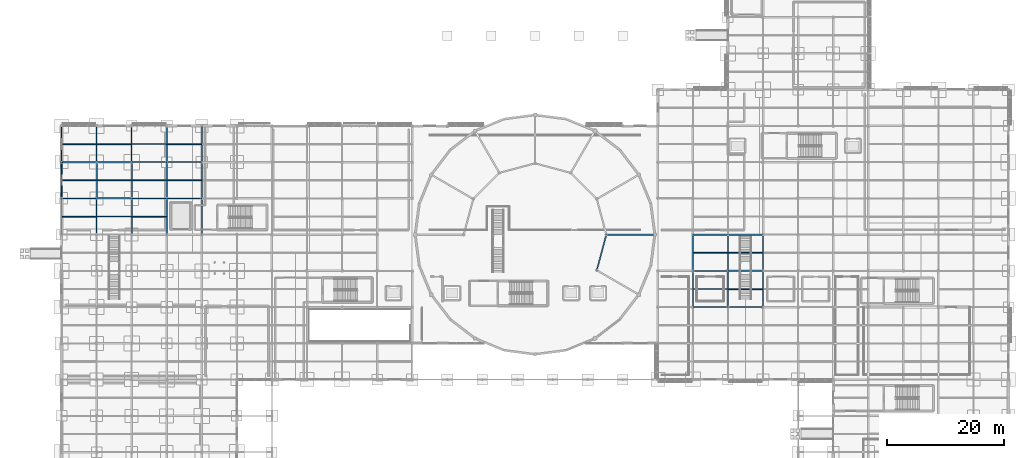
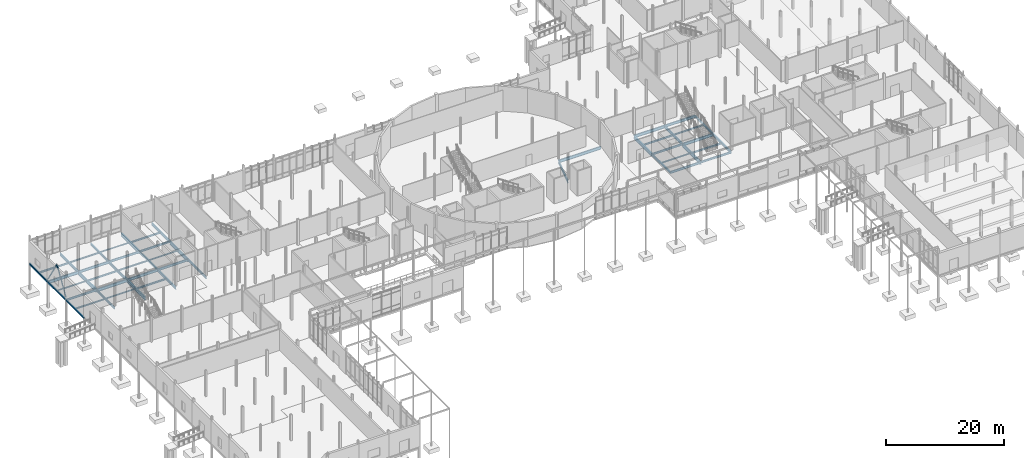
# One storey, part 39 of 98: 52 beams, 2 members.
"""IFC4 building model written with IfcOpenShell, lengths in metres."""

from ifc_helpers import new_model, si_unit, direction, frame, origin, origin_2d, place, context, subcontext, project, spatial, hollow_rectangle, i_section, extrude, material, material_profile, profile_set, type_object, element, save


model = new_model("IFC4")

# Units and contexts
model_context = context("Model", 3, precision=1e-05, world=origin(), true_north=direction((0.0, 1.0)))
body_context = subcontext(model_context, "Body", "Model", "MODEL_VIEW")
ifc_project = project(units=[si_unit("LENGTHUNIT", "METRE"), si_unit("AREAUNIT", "SQUARE_METRE"), si_unit("VOLUMEUNIT", "CUBIC_METRE"), si_unit("PLANEANGLEUNIT", "RADIAN"), si_unit("MASSUNIT", "GRAM", prefix="KILO")], contexts=[model_context])

# Site, building, storey
site_placement = place(None, origin())
site = spatial("IfcSite", under=ifc_project, at=site_placement, CompositionType="ELEMENT")
building_placement = place(site_placement, origin())
building = spatial("IfcBuilding", under=site, at=building_placement, Name="Mirzam Square Science Centre", CompositionType="ELEMENT")
storey_placement = place(building_placement, origin())
storey = spatial("IfcBuildingStorey", under=building, at=storey_placement, Name="L00", CompositionType="ELEMENT", Elevation=0.0)

# Beams
ifc_material = material(Name="Steel S355", Category="steel")
ifc_material_profile_1 = material_profile(ifc_material, i_section(OverallWidth=0.1787109375, OverallDepth=0.409423828125, WebThickness=0.0087890625, FlangeThickness=0.014404296875, FilletRadius=0.01025390625, at=origin_2d()), Name="406x178x67UB")
ifc_profile_set_1 = profile_set([ifc_material_profile_1], Name="Steel S355")
beam_type_1 = type_object("IfcBeamType", Name="BM-UB406", PredefinedType="BEAM", material=ifc_profile_set_1)
for number, where, z_axis, x_axis, name in (
    (1, (114.0, 49.60009765625, -0.504638671875), (1.0, 0.0, 0.0), (0.0, 1.0, 0.0), "L00 girder X20-9"),
    (2, (108.0, 55.800048828125, -0.504638671875), (1.0, 0.0, 0.0), (0.0, 1.0, 0.0), "L00 girder X19-10"),
    (3, (0.0, 68.199951171875, -0.504638671875), (1.0, 0.0, 0.0), (0.0, 1.0, 0.0), "L00 girder X1-12"),
    (4, (18.0, 74.39990234375, -0.504638671875), (1.0, 0.0, 0.0), (0.0, 1.0, 0.0), "L00 girder X4-13"),
):
    element("IfcBeam", number, at=place(storey_placement, frame(where, z_axis=z_axis, x_axis=x_axis)), inside=storey, type_object=beam_type_1, Name=name, PredefinedType="BEAM", context=body_context, shape_type="SweptSolid", body=[
        extrude(i_section(OverallWidth=0.1787109375, OverallDepth=0.409423828125, WebThickness=0.0087890625, FlangeThickness=0.014404296875, FilletRadius=0.01025390625, at=origin_2d()), origin(), (0.0, 0.0, 1.0), 6.0),
    ])
ifc_material_profile_2 = material_profile(ifc_material, i_section(OverallWidth=0.19140625, OverallDepth=0.4599609375, WebThickness=0.010009765625, FlangeThickness=0.01611328125, FilletRadius=0.01025390625, at=origin_2d()), Name="457x191x82UB")
ifc_profile_set_2 = profile_set([ifc_material_profile_2], Name="Steel S355")
beam_type_2 = type_object("IfcBeamType", Name="BM-UB457", PredefinedType="BEAM", material=ifc_profile_set_2)
for number, where, z_axis, x_axis, name in (
    (5, (108.0, 49.60009765625, -0.530029296875), (1.0, 0.0, 0.0), (0.0, 1.0, 0.0), "L00 girder X19-9"),
    (6, (18.0, 68.199951171875, -0.530029296875), (1.0, 0.0, 0.0), (0.0, 1.0, 0.0), "L00 girder X4-12"),
    (7, (12.0, 74.39990234375, -0.530029296875), (1.0, 0.0, 0.0), (0.0, 1.0, 0.0), "L00 girder X3-13"),
):
    element("IfcBeam", number, at=place(storey_placement, frame(where, z_axis=z_axis, x_axis=x_axis)), inside=storey, type_object=beam_type_2, Name=name, PredefinedType="BEAM", context=body_context, shape_type="SweptSolid", body=[
        extrude(i_section(OverallWidth=0.19140625, OverallDepth=0.4599609375, WebThickness=0.010009765625, FlangeThickness=0.01611328125, FilletRadius=0.01025390625, at=origin_2d()), origin(), (0.0, 0.0, 1.0), 6.0),
    ])
beam_1_placement = place(storey_placement, frame((6.0, 62.0, -0.530029296875), z_axis=(0.0, 1.0, 0.0), x_axis=(-1.0, 0.0, 0.0)))
element("IfcBeam", 8, at=beam_1_placement, inside=storey, type_object=beam_type_2, Name="L00 girder Y2-11", PredefinedType="BEAM", context=body_context, shape_type="SweptSolid", body=[
    extrude(i_section(OverallWidth=0.19140625, OverallDepth=0.4599609375, WebThickness=0.010009765625, FlangeThickness=0.01611328125, FilletRadius=0.01025390625, at=origin_2d()), origin(), (0.0, 0.0, 1.0), 6.199951171875),
])
beam_2_placement = place(storey_placement, frame((12.0, 74.39990234375, -0.530029296875), z_axis=(0.0, 1.0, 0.0), x_axis=(-1.0, 0.0, 0.0)))
element("IfcBeam", 9, at=beam_2_placement, inside=storey, type_object=beam_type_2, Name="L00 girder Y3-13", PredefinedType="BEAM", context=body_context, shape_type="SweptSolid", body=[
    extrude(i_section(OverallWidth=0.19140625, OverallDepth=0.4599609375, WebThickness=0.010009765625, FlangeThickness=0.01611328125, FilletRadius=0.01025390625, at=origin_2d()), origin(), (0.0, 0.0, 1.0), 6.2001953125),
])
for number, where, z_axis, x_axis, name in (
    (10, (18.0, 68.199951171875, -0.530029296875), (0.0, 1.0, 0.0), (-1.0, 0.0, 0.0), "L00 girder Y4-12"),
    (11, (24.0, 62.0, -0.530029296875), (0.0, 1.0, 0.0), (-1.0, 0.0, 0.0), "L00 girder Y5-11"),
    (12, (108.0, 49.60009765625, -0.530029296875), (0.0, 1.0, 0.0), (-1.0, 0.0, 0.0), "L00 girder Y19-9"),
    (13, (120.0, 55.800048828125, -0.530029296875), (0.0, 1.0, 0.0), (-1.0, 0.0, 0.0), "L00 girder Y21-10"),
):
    element("IfcBeam", number, at=place(storey_placement, frame(where, z_axis=z_axis, x_axis=x_axis)), inside=storey, type_object=beam_type_2, Name=name, PredefinedType="BEAM", context=body_context, shape_type="SweptSolid", body=[
        extrude(i_section(OverallWidth=0.19140625, OverallDepth=0.4599609375, WebThickness=0.010009765625, FlangeThickness=0.01611328125, FilletRadius=0.01025390625, at=origin_2d()), origin(), (0.0, 0.0, 1.0), 6.199951171875),
    ])
ifc_material_profile_3 = material_profile(ifc_material, i_section(OverallWidth=0.2099609375, OverallDepth=0.53662109375, WebThickness=0.0107421875, FlangeThickness=0.017333984375, FilletRadius=0.0126953125, at=origin_2d()), Name="533x210x101UB")
ifc_profile_set_3 = profile_set([ifc_material_profile_3], Name="Steel S355")
beam_type_3 = type_object("IfcBeamType", Name="BM-UB533", PredefinedType="BEAM", material=ifc_profile_set_3)
beam_3_placement = place(storey_placement, frame((91.5654296875, 55.89990234375, -0.568359375), z_axis=(0.25881981979, 0.965925618712, 0.0), x_axis=(-0.965925618712, 0.25881981979, 0.0)))
element("IfcBeam", 14, at=beam_3_placement, inside=storey, type_object=beam_type_3, Name="L00 inner drum ring girder 12", PredefinedType="BEAM", context=body_context, shape_type="SweptSolid", body=[
    extrude(i_section(OverallWidth=0.2099609375, OverallDepth=0.53662109375, WebThickness=0.0107421875, FlangeThickness=0.017333984375, FilletRadius=0.0126953125, at=origin_2d()), origin(), (0.0, 0.0, 1.0), 6.315185546875),
])
for number, where, z_axis, x_axis, name in (
    (15, (114.0, 62.0, -0.568359375), (1.0, 0.0, 0.0), (0.0, 1.0, 0.0), "L00 girder X20-11"),
    (16, (12.0, 68.199951171875, -0.568359375), (1.0, 0.0, 0.0), (0.0, 1.0, 0.0), "L00 girder X3-12"),
    (17, (6.0, 74.39990234375, -0.568359375), (1.0, 0.0, 0.0), (0.0, 1.0, 0.0), "L00 girder X2-13"),
):
    element("IfcBeam", number, at=place(storey_placement, frame(where, z_axis=z_axis, x_axis=x_axis)), inside=storey, type_object=beam_type_3, Name=name, PredefinedType="BEAM", context=body_context, shape_type="SweptSolid", body=[
        extrude(i_section(OverallWidth=0.2099609375, OverallDepth=0.53662109375, WebThickness=0.0107421875, FlangeThickness=0.017333984375, FilletRadius=0.0126953125, at=origin_2d()), origin(), (0.0, 0.0, 1.0), 6.0),
    ])
beam_4_placement = place(storey_placement, frame((6.0, 74.39990234375, -0.568359375), z_axis=(0.0, 1.0, 0.0), x_axis=(-1.0, 0.0, 0.0)))
element("IfcBeam", 18, at=beam_4_placement, inside=storey, type_object=beam_type_3, Name="L00 girder Y2-13", PredefinedType="BEAM", context=body_context, shape_type="SweptSolid", body=[
    extrude(i_section(OverallWidth=0.2099609375, OverallDepth=0.53662109375, WebThickness=0.0107421875, FlangeThickness=0.017333984375, FilletRadius=0.0126953125, at=origin_2d()), origin(), (0.0, 0.0, 1.0), 6.2001953125),
])
for number, where, z_axis, x_axis, name in (
    (19, (12.0, 68.199951171875, -0.568359375), (0.0, 1.0, 0.0), (-1.0, 0.0, 0.0), "L00 girder Y3-12"),
    (20, (18.0, 62.0, -0.568359375), (0.0, 1.0, 0.0), (-1.0, 0.0, 0.0), "L00 girder Y4-11"),
):
    element("IfcBeam", number, at=place(storey_placement, frame(where, z_axis=z_axis, x_axis=x_axis)), inside=storey, type_object=beam_type_3, Name=name, PredefinedType="BEAM", context=body_context, shape_type="SweptSolid", body=[
        extrude(i_section(OverallWidth=0.2099609375, OverallDepth=0.53662109375, WebThickness=0.0107421875, FlangeThickness=0.017333984375, FilletRadius=0.0126953125, at=origin_2d()), origin(), (0.0, 0.0, 1.0), 6.199951171875),
    ])
beam_5_placement = place(storey_placement, frame((24.0, 74.39990234375, -0.568359375), z_axis=(0.0, 1.0, 0.0), x_axis=(-1.0, 0.0, 0.0)))
element("IfcBeam", 21, at=beam_5_placement, inside=storey, type_object=beam_type_3, Name="L00 girder Y5-13", PredefinedType="BEAM", context=body_context, shape_type="SweptSolid", body=[
    extrude(i_section(OverallWidth=0.2099609375, OverallDepth=0.53662109375, WebThickness=0.0107421875, FlangeThickness=0.017333984375, FilletRadius=0.0126953125, at=origin_2d()), origin(), (0.0, 0.0, 1.0), 6.2001953125),
])
for number, where, z_axis, x_axis, name in (
    (22, (114.0, 55.800048828125, -0.568359375), (0.0, 1.0, 0.0), (-1.0, 0.0, 0.0), "L00 girder Y20-10"),
    (23, (120.0, 49.60009765625, -0.568359375), (0.0, 1.0, 0.0), (-1.0, 0.0, 0.0), "L00 girder Y21-9"),
):
    element("IfcBeam", number, at=place(storey_placement, frame(where, z_axis=z_axis, x_axis=x_axis)), inside=storey, type_object=beam_type_3, Name=name, PredefinedType="BEAM", context=body_context, shape_type="SweptSolid", body=[
        extrude(i_section(OverallWidth=0.2099609375, OverallDepth=0.53662109375, WebThickness=0.0107421875, FlangeThickness=0.017333984375, FilletRadius=0.0126953125, at=origin_2d()), origin(), (0.0, 0.0, 1.0), 6.199951171875),
    ])
ifc_material_profile_4 = material_profile(ifc_material, i_section(OverallWidth=0.22900390625, OverallDepth=0.6123046875, WebThickness=0.011962890625, FlangeThickness=0.01953125, FilletRadius=0.0126953125, at=origin_2d()), Name="610x229x125UB")
ifc_profile_set_4 = profile_set([ifc_material_profile_4], Name="Steel S355")
beam_type_4 = type_object("IfcBeamType", Name="BM-UB610", PredefinedType="BEAM", material=ifc_profile_set_4)
beam_6_placement = place(storey_placement, frame((93.199951171875, 62.0, -0.606201171875), z_axis=(1.0, 0.0, 0.0), x_axis=(0.0, 1.0, 0.0)))
element("IfcBeam", 24, at=beam_6_placement, inside=storey, type_object=beam_type_4, Name="L00 drum radial girder 01", PredefinedType="BEAM", context=body_context, shape_type="SweptSolid", body=[
    extrude(i_section(OverallWidth=0.22900390625, OverallDepth=0.6123046875, WebThickness=0.011962890625, FlangeThickness=0.01953125, FilletRadius=0.0126953125, at=origin_2d()), origin(), (0.0, 0.0, 1.0), 8.300048828125),
])
for number, where, z_axis, x_axis, name in (
    (25, (114.0, 55.800048828125, -0.606201171875), (1.0, 0.0, 0.0), (0.0, 1.0, 0.0), "L00 girder X20-10"),
    (26, (108.0, 62.0, -0.606201171875), (1.0, 0.0, 0.0), (0.0, 1.0, 0.0), "L00 girder X19-11"),
    (27, (6.0, 68.199951171875, -0.606201171875), (1.0, 0.0, 0.0), (0.0, 1.0, 0.0), "L00 girder X2-12"),
    (28, (0.0, 74.39990234375, -0.606201171875), (1.0, 0.0, 0.0), (0.0, 1.0, 0.0), "L00 girder X1-13"),
):
    element("IfcBeam", number, at=place(storey_placement, frame(where, z_axis=z_axis, x_axis=x_axis)), inside=storey, type_object=beam_type_4, Name=name, PredefinedType="BEAM", context=body_context, shape_type="SweptSolid", body=[
        extrude(i_section(OverallWidth=0.22900390625, OverallDepth=0.6123046875, WebThickness=0.011962890625, FlangeThickness=0.01953125, FilletRadius=0.0126953125, at=origin_2d()), origin(), (0.0, 0.0, 1.0), 6.0),
    ])
ifc_material_profile_5 = material_profile(ifc_material, i_section(OverallWidth=0.25439453125, OverallDepth=0.6875, WebThickness=0.01318359375, FlangeThickness=0.02099609375, FilletRadius=0.01513671875, at=origin_2d()), Name="686x254x152UB")
ifc_profile_set_5 = profile_set([ifc_material_profile_5], Name="Steel S355")
beam_type_5 = type_object("IfcBeamType", Name="BM-UB686", PredefinedType="BEAM", material=ifc_profile_set_5)
for number, where, z_axis, x_axis, name in (
    (29, (6.0, 68.199951171875, -0.643798828125), (0.0, 1.0, 0.0), (-1.0, 0.0, 0.0), "L00 girder Y2-12"),
    (30, (12.0, 62.0, -0.643798828125), (0.0, 1.0, 0.0), (-1.0, 0.0, 0.0), "L00 girder Y3-11"),
):
    element("IfcBeam", number, at=place(storey_placement, frame(where, z_axis=z_axis, x_axis=x_axis)), inside=storey, type_object=beam_type_5, Name=name, PredefinedType="BEAM", context=body_context, shape_type="SweptSolid", body=[
        extrude(i_section(OverallWidth=0.25439453125, OverallDepth=0.6875, WebThickness=0.01318359375, FlangeThickness=0.02099609375, FilletRadius=0.01513671875, at=origin_2d()), origin(), (0.0, 0.0, 1.0), 6.199951171875),
    ])
beam_7_placement = place(storey_placement, frame((18.0, 74.39990234375, -0.643798828125), z_axis=(0.0, 1.0, 0.0), x_axis=(-1.0, 0.0, 0.0)))
element("IfcBeam", 31, at=beam_7_placement, inside=storey, type_object=beam_type_5, Name="L00 girder Y4-13", PredefinedType="BEAM", context=body_context, shape_type="SweptSolid", body=[
    extrude(i_section(OverallWidth=0.25439453125, OverallDepth=0.6875, WebThickness=0.01318359375, FlangeThickness=0.02099609375, FilletRadius=0.01513671875, at=origin_2d()), origin(), (0.0, 0.0, 1.0), 6.2001953125),
])
for number, where, z_axis, x_axis, name in (
    (32, (24.0, 68.199951171875, -0.643798828125), (0.0, 1.0, 0.0), (-1.0, 0.0, 0.0), "L00 girder Y5-12"),
    (33, (108.0, 55.800048828125, -0.643798828125), (0.0, 1.0, 0.0), (-1.0, 0.0, 0.0), "L00 girder Y19-10"),
    (34, (114.0, 49.60009765625, -0.643798828125), (0.0, 1.0, 0.0), (-1.0, 0.0, 0.0), "L00 girder Y20-9"),
):
    element("IfcBeam", number, at=place(storey_placement, frame(where, z_axis=z_axis, x_axis=x_axis)), inside=storey, type_object=beam_type_5, Name=name, PredefinedType="BEAM", context=body_context, shape_type="SweptSolid", body=[
        extrude(i_section(OverallWidth=0.25439453125, OverallDepth=0.6875, WebThickness=0.01318359375, FlangeThickness=0.02099609375, FilletRadius=0.01513671875, at=origin_2d()), origin(), (0.0, 0.0, 1.0), 6.199951171875),
    ])

# Members
ifc_material_profile_6 = material_profile(ifc_material, hollow_rectangle(XDim=0.179931640625, YDim=0.179931640625, WallThickness=0.010009765625, InnerFilletRadius=0.010009765625, OuterFilletRadius=0.02001953125, at=origin_2d()), Name="180x180x10.0SHS")
ifc_profile_set_6 = profile_set([ifc_material_profile_6], Name="Steel S355")
member_type = type_object("IfcMemberType", Name="BR-SHS180", PredefinedType="BRACE", material=ifc_profile_set_6)
member_1_placement = place(storey_placement, frame((0.0, 68.199951171875, 0.050048828125), z_axis=(0.0, 0.532707561114, 0.84629938812), x_axis=(-1.0, 0.0, 0.0)))
element("IfcMember", 35, at=member_1_placement, inside=storey, type_object=member_type, Name="L00 chevron brace 2A", PredefinedType="BRACE", context=body_context, shape_type="SweptSolid", body=[
    extrude(hollow_rectangle(XDim=0.179931640625, YDim=0.179931640625, WallThickness=0.010009765625, InnerFilletRadius=0.010009765625, OuterFilletRadius=0.02001953125, at=origin_2d()), origin(), (0.0, 0.0, 1.0), 5.819580078125),
])
member_2_placement = place(storey_placement, frame((0.0, 74.39990234375, 0.050048828125), z_axis=(0.0, -0.532677513074, 0.846318301271), x_axis=(1.0, 0.0, 0.0)))
element("IfcMember", 36, at=member_2_placement, inside=storey, type_object=member_type, Name="L00 chevron brace 2B", PredefinedType="BRACE", context=body_context, shape_type="SweptSolid", body=[
    extrude(hollow_rectangle(XDim=0.179931640625, YDim=0.179931640625, WallThickness=0.010009765625, InnerFilletRadius=0.010009765625, OuterFilletRadius=0.02001953125, at=origin_2d()), origin(), (0.0, 0.0, 1.0), 5.8193359375),
])

# Beams
ifc_material_profile_7 = material_profile(ifc_material, i_section(OverallWidth=0.146484375, OverallDepth=0.256103515625, WebThickness=0.00634765625, FlangeThickness=0.010986328125, FilletRadius=0.007568359375, at=origin_2d()), Name="254x146x37UB")
ifc_profile_set_7 = profile_set([ifc_material_profile_7], Name="Steel S355")
beam_type_6 = type_object("IfcBeamType", Name="JS-UB254", PredefinedType="JOIST", material=ifc_profile_set_7)
beam_8_placement = place(storey_placement, frame((0.125, 71.300048828125, -0.427978515625), z_axis=(1.0, 0.0, 0.0), x_axis=(0.0, 1.0, 0.0)))
element("IfcBeam", 37, at=beam_8_placement, inside=storey, type_object=beam_type_6, Name="L00 composite joist 1-12", PredefinedType="JOIST", context=body_context, shape_type="SweptSolid", body=[
    extrude(i_section(OverallWidth=0.146484375, OverallDepth=0.256103515625, WebThickness=0.00634765625, FlangeThickness=0.010986328125, FilletRadius=0.007568359375, at=origin_2d()), origin(), (0.0, 0.0, 1.0), 5.747802734375),
])
for number, where, z_axis, x_axis, name in (
    (38, (6.095703125, 65.10009765625, -0.427978515625), (1.0, 0.0, 0.0), (0.0, 1.0, 0.0), "L00 composite joist 2-11"),
    (39, (12.095703125, 77.5, -0.427978515625), (1.0, 0.0, 0.0), (0.0, 1.0, 0.0), "L00 composite joist 3-13"),
    (40, (18.095703125, 71.300048828125, -0.427978515625), (1.0, 0.0, 0.0), (0.0, 1.0, 0.0), "L00 composite joist 4-12"),
    (41, (108.095703125, 52.699951171875, -0.427978515625), (1.0, 0.0, 0.0), (0.0, 1.0, 0.0), "L00 composite joist 19-9"),
):
    element("IfcBeam", number, at=place(storey_placement, frame(where, z_axis=z_axis, x_axis=x_axis)), inside=storey, type_object=beam_type_6, Name=name, PredefinedType="JOIST", context=body_context, shape_type="SweptSolid", body=[
        extrude(i_section(OverallWidth=0.146484375, OverallDepth=0.256103515625, WebThickness=0.00634765625, FlangeThickness=0.010986328125, FilletRadius=0.007568359375, at=origin_2d()), origin(), (0.0, 0.0, 1.0), 5.777099609375),
    ])
ifc_material_profile_8 = material_profile(ifc_material, i_section(OverallWidth=0.165771484375, OverallDepth=0.306640625, WebThickness=0.006591796875, FlangeThickness=0.01171875, FilletRadius=0.0087890625, at=origin_2d()), Name="305x165x46UB")
ifc_profile_set_8 = profile_set([ifc_material_profile_8], Name="Steel S355")
beam_type_7 = type_object("IfcBeamType", Name="JS-UB305", PredefinedType="JOIST", material=ifc_profile_set_8)
beam_9_placement = place(storey_placement, frame((0.125, 65.10009765625, -0.453369140625), z_axis=(1.0, 0.0, 0.0), x_axis=(0.0, 1.0, 0.0)))
element("IfcBeam", 42, at=beam_9_placement, inside=storey, type_object=beam_type_7, Name="L00 composite joist 1-11", PredefinedType="JOIST", context=body_context, shape_type="SweptSolid", body=[
    extrude(i_section(OverallWidth=0.165771484375, OverallDepth=0.306640625, WebThickness=0.006591796875, FlangeThickness=0.01171875, FilletRadius=0.0087890625, at=origin_2d()), origin(), (0.0, 0.0, 1.0), 5.779296875),
])
for number, where, z_axis, x_axis, name in (
    (43, (6.10498046875, 77.5, -0.453369140625), (1.0, 0.0, 0.0), (0.0, 1.0, 0.0), "L00 composite joist 2-13"),
    (44, (12.10498046875, 71.300048828125, -0.453369140625), (1.0, 0.0, 0.0), (0.0, 1.0, 0.0), "L00 composite joist 3-12"),
    (45, (114.10498046875, 58.89990234375, -0.453369140625), (1.0, 0.0, 0.0), (0.0, 1.0, 0.0), "L00 composite joist 20-10"),
):
    element("IfcBeam", number, at=place(storey_placement, frame(where, z_axis=z_axis, x_axis=x_axis)), inside=storey, type_object=beam_type_7, Name=name, PredefinedType="JOIST", context=body_context, shape_type="SweptSolid", body=[
        extrude(i_section(OverallWidth=0.165771484375, OverallDepth=0.306640625, WebThickness=0.006591796875, FlangeThickness=0.01171875, FilletRadius=0.0087890625, at=origin_2d()), origin(), (0.0, 0.0, 1.0), 5.79931640625),
    ])
ifc_material_profile_9 = material_profile(ifc_material, i_section(OverallWidth=0.172119140625, OverallDepth=0.35791015625, WebThickness=0.008056640625, FlangeThickness=0.012939453125, FilletRadius=0.01025390625, at=origin_2d()), Name="356x171x57UB")
ifc_profile_set_9 = profile_set([ifc_material_profile_9], Name="Steel S355")
beam_type_8 = type_object("IfcBeamType", Name="JS-UB356", PredefinedType="JOIST", material=ifc_profile_set_9)
beam_10_placement = place(storey_placement, frame((0.125, 77.5, -0.47900390625), z_axis=(1.0, 0.0, 0.0), x_axis=(0.0, 1.0, 0.0)))
element("IfcBeam", 46, at=beam_10_placement, inside=storey, type_object=beam_type_8, Name="L00 composite joist 1-13", PredefinedType="JOIST", context=body_context, shape_type="SweptSolid", body=[
    extrude(i_section(OverallWidth=0.172119140625, OverallDepth=0.35791015625, WebThickness=0.008056640625, FlangeThickness=0.012939453125, FilletRadius=0.01025390625, at=origin_2d()), origin(), (0.0, 0.0, 1.0), 5.77001953125),
])
for number, where, z_axis, x_axis, name in (
    (47, (6.127197265625, 71.300048828125, -0.47900390625), (1.0, 0.0, 0.0), (0.0, 1.0, 0.0), "L00 composite joist 2-12"),
    (48, (12.127197265625, 65.10009765625, -0.47900390625), (1.0, 0.0, 0.0), (0.0, 1.0, 0.0), "L00 composite joist 3-11"),
    (49, (18.127197265625, 77.5, -0.47900390625), (1.0, 0.0, 0.0), (0.0, 1.0, 0.0), "L00 composite joist 4-13"),
    (50, (108.127197265625, 58.89990234375, -0.47900390625), (1.0, 0.0, 0.0), (0.0, 1.0, 0.0), "L00 composite joist 19-10"),
    (51, (114.127197265625, 52.699951171875, -0.47900390625), (1.0, 0.0, 0.0), (0.0, 1.0, 0.0), "L00 composite joist 20-9"),
):
    element("IfcBeam", number, at=place(storey_placement, frame(where, z_axis=z_axis, x_axis=x_axis)), inside=storey, type_object=beam_type_8, Name=name, PredefinedType="JOIST", context=body_context, shape_type="SweptSolid", body=[
        extrude(i_section(OverallWidth=0.172119140625, OverallDepth=0.35791015625, WebThickness=0.008056640625, FlangeThickness=0.012939453125, FilletRadius=0.01025390625, at=origin_2d()), origin(), (0.0, 0.0, 1.0), 5.767822265625),
    ])
ifc_material_profile_10 = material_profile(ifc_material, hollow_rectangle(XDim=0.25, YDim=0.35009765625, WallThickness=0.012451171875, InnerFilletRadius=0.012451171875, OuterFilletRadius=0.02490234375, at=origin_2d()), Name="350x250x12.5RHS")
ifc_profile_set_10 = profile_set([ifc_material_profile_10], Name="Steel S355")
beam_type_9 = type_object("IfcBeamType", Name="SP-RHS350", PredefinedType="SPANDREL", material=ifc_profile_set_10)
for number, where, z_axis, x_axis, name in (
    (52, (0.0, 62.0, -0.47509765625), (0.0, 1.0, 0.0), (-1.0, 0.0, 0.0), "L00 girder Y1-11"),
    (53, (0.0, 68.199951171875, -0.47509765625), (0.0, 1.0, 0.0), (-1.0, 0.0, 0.0), "L00 girder Y1-12"),
):
    element("IfcBeam", number, at=place(storey_placement, frame(where, z_axis=z_axis, x_axis=x_axis)), inside=storey, type_object=beam_type_9, Name=name, PredefinedType="SPANDREL", context=body_context, shape_type="SweptSolid", body=[
        extrude(hollow_rectangle(XDim=0.25, YDim=0.35009765625, WallThickness=0.012451171875, InnerFilletRadius=0.012451171875, OuterFilletRadius=0.02490234375, at=origin_2d()), origin(), (0.0, 0.0, 1.0), 6.199951171875),
    ])
beam_11_placement = place(storey_placement, frame((0.0, 74.39990234375, -0.47509765625), z_axis=(0.0, 1.0, 0.0), x_axis=(-1.0, 0.0, 0.0)))
element("IfcBeam", 54, at=beam_11_placement, inside=storey, type_object=beam_type_9, Name="L00 girder Y1-13", PredefinedType="SPANDREL", context=body_context, shape_type="SweptSolid", body=[
    extrude(hollow_rectangle(XDim=0.25, YDim=0.35009765625, WallThickness=0.012451171875, InnerFilletRadius=0.012451171875, OuterFilletRadius=0.02490234375, at=origin_2d()), origin(), (0.0, 0.0, 1.0), 6.2001953125),
])

save(model, "model.ifc")
